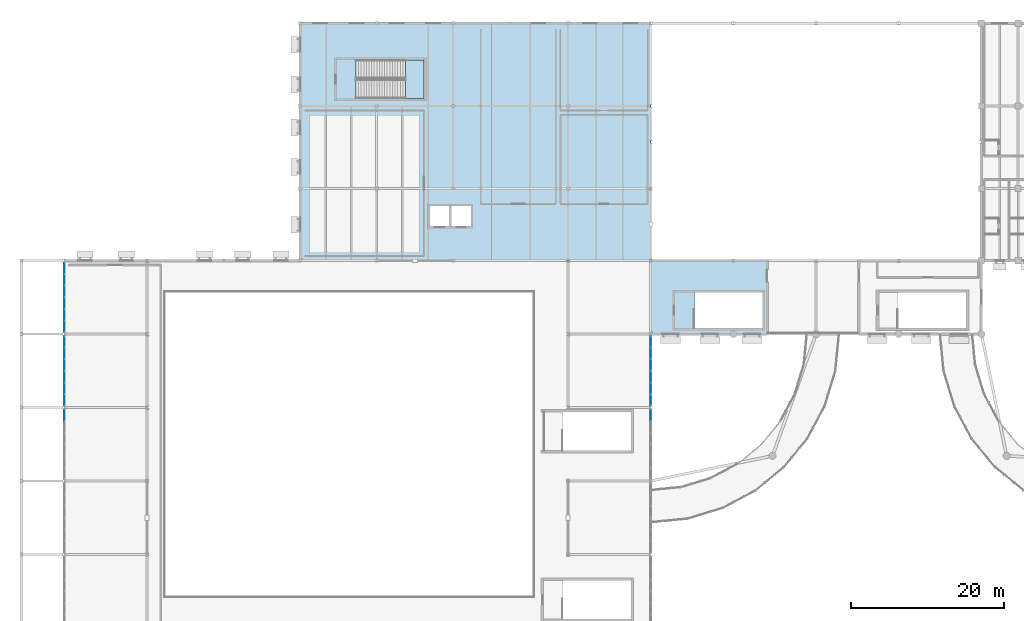
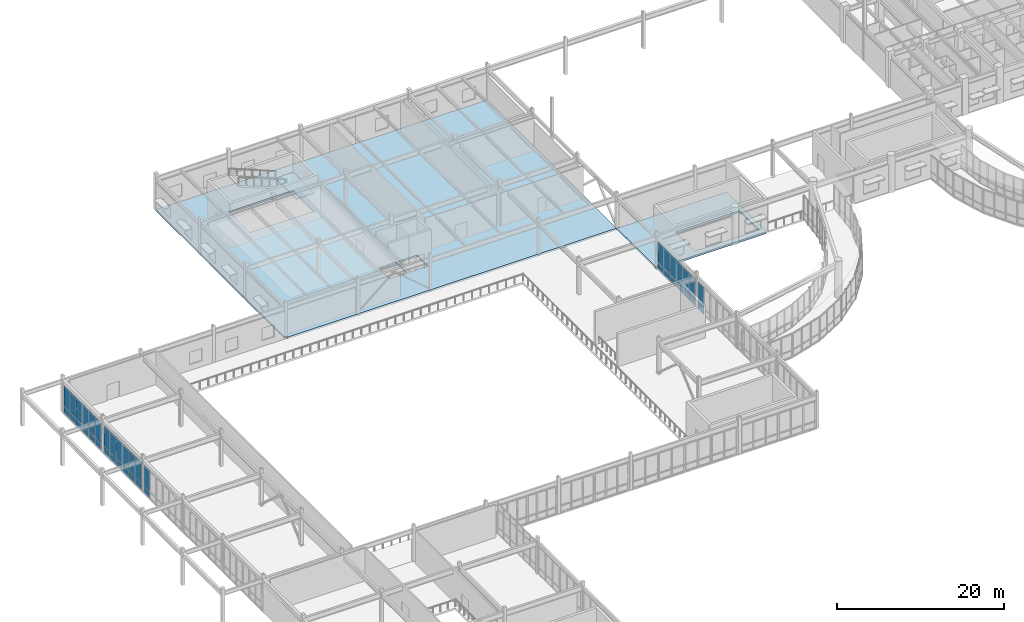
# One storey, part 37 of 68: 40 plates, 3 slabs, 9 elements without a shape of their own.
"""IFC4 building model written with IfcOpenShell, lengths in metres."""

import ifcopenshell
import ifcopenshell.guid

model = None  # the IFC model being written
_history = None  # IfcOwnerHistory: only IFC2X3 demands one
_inside = {}  # id of a spatial element -> (the spatial element, [elements in it])
_under = {}  # id of a project, library or spatial element -> (it, [spatial elements below it])
_declared = {}  # id of a project -> (the project, [libraries it declares])
_typed = {}  # id of a type object -> (the type object, [elements of that type])
_made_of = {}  # id of a material, layer set ... -> (it, [elements and type objects made of it])


def new_model(schema):
    """Start an empty IFC model of exactly this schema.

    Asked for "IFC4X3", IfcOpenShell would pick the latest addendum, in which some entities
    have other attributes; the version numbers below select the first issue.
    IFC2X3 requires an IfcOwnerHistory on every rooted entity: one is made here for all.
    """
    global model, _history
    if schema == "IFC4X3":
        model = ifcopenshell.file(schema_version=(4, 3, 0, 0))
    else:
        model = ifcopenshell.file(schema=schema)
    _inside.clear()
    _under.clear()
    _declared.clear()
    _typed.clear()
    _made_of.clear()
    _history = None
    if model.schema == "IFC2X3":
        org = make("IfcOrganization", Name="unknown")
        user = make(
            "IfcPersonAndOrganization",
            ThePerson=make("IfcPerson", FamilyName="unknown"),
            TheOrganization=org,
        )
        app = make(
            "IfcApplication",
            ApplicationDeveloper=org,
            Version="unknown",
            ApplicationFullName="unknown",
            ApplicationIdentifier="unknown",
        )
        _history = make(
            "IfcOwnerHistory",
            OwningUser=user,
            OwningApplication=app,
            ChangeAction="ADDED",
            CreationDate=0,
        )
    return model


def make(cls, **values):
    """One entity of the class cls with the attributes given. An attribute that is None is left unset."""
    return model.create_entity(
        cls, **{name: value for name, value in values.items() if value is not None}
    )


def rooted(cls, **values):
    """An entity with a GlobalId (a new one), such as an element, a storey or a relation."""
    return make(cls, GlobalId=ifcopenshell.guid.new(), OwnerHistory=_history, **values)


def si_unit(unit_type, name, prefix=None):
    """IfcSIUnit, for example si_unit("LENGTHUNIT", "METRE", prefix="MILLI")."""
    return make("IfcSIUnit", UnitType=unit_type, Prefix=prefix, Name=name)


def assignment(units):
    """IfcUnitAssignment: the units of a project."""
    return None if units is None else make("IfcUnitAssignment", Units=units)


def point(xyz):
    """IfcCartesianPoint."""
    return None if xyz is None else make("IfcCartesianPoint", Coordinates=xyz)


def direction(xyz):
    """IfcDirection."""
    return None if xyz is None else make("IfcDirection", DirectionRatios=xyz)


def frame(location, z_axis=None, x_axis=None):
    """IfcAxis2Placement3D, a coordinate frame: its origin and axes. An axis left out is left unset."""
    return make(
        "IfcAxis2Placement3D",
        Location=point(location),
        Axis=direction(z_axis),
        RefDirection=direction(x_axis),
    )


def frame_2d(location, x_axis=None):
    """IfcAxis2Placement2D, a coordinate frame in the plane: its origin and x axis."""
    return make(
        "IfcAxis2Placement2D", Location=point(location), RefDirection=direction(x_axis)
    )


def origin():
    """The frame at (0, 0, 0) with its axes left unset."""
    return frame((0.0, 0.0, 0.0))


def origin_2d():
    """The frame at (0, 0) in the plane with its x axis left unset."""
    return frame_2d((0.0, 0.0))


def place(relative_to, where):
    """IfcLocalPlacement: puts the frame where relative to a parent placement (None: the world)."""
    return make(
        "IfcLocalPlacement", PlacementRelTo=relative_to, RelativePlacement=where
    )


def context(
    kind, dimensions, precision=None, world=None, true_north=None, identifier=None
):
    """IfcGeometricRepresentationContext, for example the 3D "Model" context."""
    return make(
        "IfcGeometricRepresentationContext",
        ContextIdentifier=identifier,
        ContextType=kind,
        CoordinateSpaceDimension=dimensions,
        Precision=precision,
        WorldCoordinateSystem=world,
        TrueNorth=true_north,
    )


def subcontext(parent, identifier, kind, view, scale=None):
    """IfcGeometricRepresentationSubContext, for example "Body" below "Model"."""
    return make(
        "IfcGeometricRepresentationSubContext",
        ContextIdentifier=identifier,
        ContextType=kind,
        ParentContext=parent,
        TargetScale=scale,
        TargetView=view,
    )


def project(units=None, contexts=None):
    """IfcProject with its units and contexts."""
    return rooted(
        "IfcProject",
        Name="project",
        RepresentationContexts=contexts,
        UnitsInContext=assignment(units),
    )


def spatial(cls, under=None, at=None, **own):
    """A site, building, storey or space (cls), placed at a placement, below another one or the project."""
    s = rooted(cls, ObjectPlacement=at, **own)
    if under is not None:
        _under.setdefault(under.id(), (under, []))[1].append(s)
    return s


def polyline(points):
    """IfcPolyline through the points."""
    return make("IfcPolyline", Points=[point(p) for p in points])


def profile(cls, at=None, kind="AREA", **sizes):
    """A parametric profile (cls). Its sizes go by their IFC names, for example OverallWidth=200.0."""
    return make(cls, ProfileType=kind, Position=at, **sizes)


def rectangle(**sizes):
    """IfcRectangleProfileDef."""
    return profile("IfcRectangleProfileDef", **sizes)


def outline(outer, holes=None, kind="AREA"):
    """IfcArbitraryClosedProfileDef: a profile drawn as a closed curve; with holes, ...WithVoids."""
    if holes is None:
        return make("IfcArbitraryClosedProfileDef", ProfileType=kind, OuterCurve=outer)
    return make(
        "IfcArbitraryProfileDefWithVoids",
        ProfileType=kind,
        OuterCurve=outer,
        InnerCurves=holes,
    )


def extrude(swept, where, along, depth):
    """IfcExtrudedAreaSolid: the profile swept, set in the frame where, extruded along a direction by depth."""
    return make(
        "IfcExtrudedAreaSolid",
        SweptArea=swept,
        Position=where,
        ExtrudedDirection=direction(along),
        Depth=depth,
    )


def shape(context_of_items, identifier, shape_type, items):
    """IfcShapeRepresentation: the items that make up one representation, for example the "Body"."""
    return make(
        "IfcShapeRepresentation",
        ContextOfItems=context_of_items,
        RepresentationIdentifier=identifier,
        RepresentationType=shape_type,
        Items=items,
    )


def material(Name=None, Category=None):
    """IfcMaterial."""
    return make("IfcMaterial", Name=Name, Category=Category)


def layer(
    of_material, thickness, ventilated=None, Name=None, Category=None, Priority=None
):
    """IfcMaterialLayer: one layer of a wall or slab, of a material (None: an air gap)."""
    return make(
        "IfcMaterialLayer",
        Material=of_material,
        LayerThickness=thickness,
        IsVentilated=ventilated,
        Name=Name,
        Category=Category,
        Priority=Priority,
    )


def layer_set(layers, Name=None):
    """IfcMaterialLayerSet."""
    return make("IfcMaterialLayerSet", MaterialLayers=layers, LayerSetName=Name)


def made_of(thing, what):
    """Note that an element or type object is made of a material, layer set ...; save() writes the relation."""
    if what is not None:
        _made_of.setdefault(what.id(), (what, []))[1].append(thing)
    return thing


def type_object(cls, material=None, **own):
    """A type object (cls), such as IfcWallType, which elements share."""
    return made_of(rooted(cls, **own), material)


def element(
    cls,
    number,
    at=None,
    inside=None,
    cuts=None,
    type_object=None,
    material=None,
    context=None,
    identifier="Body",
    shape_type=None,
    held_by="IfcProductDefinitionShape",
    body=None,
    shapes=None,
    **own,
):
    """One element of the class cls, such as IfcWall. Its Tag is "e" and its number.

    at: its placement. inside: the storey or other place that contains it. cuts: it is an
    opening in that element (IfcRelVoidsElement). A single representation is given by context,
    identifier, shape_type and body (its items); several are given by shapes. held_by: the class
    of the entity that holds the representations. save() writes the other relations.
    """
    e = rooted(cls, Tag="e%d" % number, ObjectPlacement=at, **own)
    if body is not None:
        shapes = [shape(context, identifier, shape_type, body)]
    if shapes is not None:
        e.Representation = make(held_by, Representations=shapes)
    if inside is not None:
        _inside.setdefault(inside.id(), (inside, []))[1].append(e)
    if cuts is not None:
        rooted(
            "IfcRelVoidsElement", RelatingBuildingElement=cuts, RelatedOpeningElement=e
        )
    if type_object is not None:
        _typed.setdefault(type_object.id(), (type_object, []))[1].append(e)
    return made_of(e, material)


def aggregate(whole, parts):
    """IfcRelAggregates: a whole, such as a stair, and the parts it consists of."""
    return rooted("IfcRelAggregates", RelatingObject=whole, RelatedObjects=parts)


def save(model, path):
    """Write the relations noted so far, then the file.

    IfcRelAggregates (storeys below a building ...), IfcRelContainedInSpatialStructure (elements
    in a storey), IfcRelDefinesByType, IfcRelAssociatesMaterial and IfcRelDeclares: one each for
    every whole, place, type object, material and project.
    """
    for whole, parts in _under.values():
        aggregate(whole, parts)
    for where, things in _inside.values():
        rooted(
            "IfcRelContainedInSpatialStructure",
            RelatedElements=things,
            RelatingStructure=where,
        )
    for kind, things in _typed.values():
        rooted("IfcRelDefinesByType", RelatedObjects=things, RelatingType=kind)
    for what, things in _made_of.values():
        rooted("IfcRelAssociatesMaterial", RelatedObjects=things, RelatingMaterial=what)
    for by, libraries in _declared.values():
        rooted("IfcRelDeclares", RelatingContext=by, RelatedDefinitions=libraries)
    model.write(path)


model = new_model("IFC4")

# Units and contexts
model_context = context("Model", 3, precision=1e-05, world=origin(), true_north=direction((0.0, 1.0)))
body_context = subcontext(model_context, "Body", "Model", "MODEL_VIEW")
ifc_project = project(units=[si_unit("LENGTHUNIT", "METRE"), si_unit("AREAUNIT", "SQUARE_METRE"), si_unit("VOLUMEUNIT", "CUBIC_METRE"), si_unit("PLANEANGLEUNIT", "RADIAN"), si_unit("MASSUNIT", "GRAM", prefix="KILO")], contexts=[model_context])

# Site, building, storey
site_placement = place(None, origin())
site = spatial("IfcSite", under=ifc_project, at=site_placement, CompositionType="ELEMENT")
building_placement = place(site_placement, origin())
building = spatial("IfcBuilding", under=site, at=building_placement, Name="Veldera Park Congress Hotel", CompositionType="ELEMENT")
storey_placement = place(building_placement, frame((0.0, 0.0, 10.800048828125)))
storey = spatial("IfcBuildingStorey", under=building, at=storey_placement, Name="L02", CompositionType="ELEMENT", Elevation=10.800048828125)

# Curtain wall, plates
ifc_material_1 = material(Name="Low-E Triple Insulating Glass Unit (SHGC 0.22)", Category="glass")
curtain_wall_type_1 = type_object("IfcCurtainWallType", Name="CW-CNG", PredefinedType="NOTDEFINED", material=ifc_material_1)
curtain_wall_1_placement = place(storey_placement, origin())
curtain_wall_1 = element("IfcCurtainWall", 1, at=curtain_wall_1_placement, inside=storey, type_object=curtain_wall_type_1, Name="L02 Curtain Wall CW3-V1W-L02-045", PredefinedType="NOTDEFINED")
ifc_layer_1 = layer(ifc_material_1, 0.035888671875)
ifc_layer_set_1 = layer_set([ifc_layer_1], Name="Low-E Triple Insulating Glass Unit (SHGC 0.22)")
plate_type = type_object("IfcPlateType", Name="CWP-IGU36", PredefinedType="CURTAIN_PANEL", material=ifc_layer_set_1)
plate_1_placement = place(storey_placement, frame((-78.199951171875, 25.9970703125, 0.0751953125), z_axis=(0.0, 0.0, 1.0), x_axis=(0.0, -1.0, 0.0)))
plate_1 = element("IfcPlate", 2, at=plate_1_placement, type_object=plate_type, Name="CW-CNG panel 1.1", PredefinedType="CURTAIN_PANEL", context=body_context, shape_type="SweptSolid", body=[
    extrude(rectangle(XDim=1.40771484375, YDim=0.035888671875, at=origin_2d()), origin(), (0.0, 0.0, 1.0), 0.887451171875),
])
plate_2_placement = place(storey_placement, frame((-78.199951171875, 25.9970703125, 1.03759765625), z_axis=(0.0, 0.0, 1.0), x_axis=(0.0, -1.0, 0.0)))
plate_2 = element("IfcPlate", 3, at=plate_2_placement, type_object=plate_type, Name="CW-CNG panel 1.2", PredefinedType="CURTAIN_PANEL", context=body_context, shape_type="SweptSolid", body=[
    extrude(rectangle(XDim=1.40771484375, YDim=0.035888671875, at=origin_2d()), origin(), (0.0, 0.0, 1.0), 2.986572265625),
])
plate_3_placement = place(storey_placement, frame((-78.199951171875, 24.49560546875, 0.0751953125), z_axis=(0.0, 0.0, 1.0), x_axis=(0.0, -1.0, 0.0)))
plate_3 = element("IfcPlate", 4, at=plate_3_placement, type_object=plate_type, Name="CW-CNG panel 2.1", PredefinedType="CURTAIN_PANEL", context=body_context, shape_type="SweptSolid", body=[
    extrude(rectangle(XDim=1.4453125, YDim=0.035888671875, at=origin_2d()), origin(), (0.0, 0.0, 1.0), 0.887451171875),
])
plate_4_placement = place(storey_placement, frame((-78.199951171875, 24.49560546875, 1.03759765625), z_axis=(0.0, 0.0, 1.0), x_axis=(0.0, -1.0, 0.0)))
plate_4 = element("IfcPlate", 5, at=plate_4_placement, type_object=plate_type, Name="CW-CNG panel 2.2", PredefinedType="CURTAIN_PANEL", context=body_context, shape_type="SweptSolid", body=[
    extrude(rectangle(XDim=1.4453125, YDim=0.035888671875, at=origin_2d()), origin(), (0.0, 0.0, 1.0), 2.986572265625),
])
plate_5_placement = place(storey_placement, frame((-78.199951171875, 22.993896484375, 0.0751953125), z_axis=(0.0, 0.0, 1.0), x_axis=(0.0, -1.0, 0.0)))
plate_5 = element("IfcPlate", 6, at=plate_5_placement, type_object=plate_type, Name="CW-CNG panel 3.1", PredefinedType="CURTAIN_PANEL", context=body_context, shape_type="SweptSolid", body=[
    extrude(rectangle(XDim=1.40771484375, YDim=0.035888671875, at=origin_2d()), origin(), (0.0, 0.0, 1.0), 0.887451171875),
])
plate_6_placement = place(storey_placement, frame((-78.199951171875, 22.993896484375, 1.03759765625), z_axis=(0.0, 0.0, 1.0), x_axis=(0.0, -1.0, 0.0)))
plate_6 = element("IfcPlate", 7, at=plate_6_placement, type_object=plate_type, Name="CW-CNG panel 3.2", PredefinedType="CURTAIN_PANEL", context=body_context, shape_type="SweptSolid", body=[
    extrude(rectangle(XDim=1.40771484375, YDim=0.035888671875, at=origin_2d()), origin(), (0.0, 0.0, 1.0), 2.986572265625),
])
aggregate(curtain_wall_1, [plate_1, plate_2, plate_3, plate_4, plate_5, plate_6])

curtain_wall_2_placement = place(storey_placement, origin())
curtain_wall_2 = element("IfcCurtainWall", 8, at=curtain_wall_2_placement, inside=storey, type_object=curtain_wall_type_1, Name="L02 Curtain Wall CW3-V1W-L02-046", PredefinedType="NOTDEFINED")
plate_7_placement = place(storey_placement, frame((-78.199951171875, 21.406005859375, 0.0751953125), z_axis=(0.0, 0.0, 1.0), x_axis=(0.0, -1.0, 0.0)))
plate_7 = element("IfcPlate", 9, at=plate_7_placement, type_object=plate_type, Name="CW-CNG panel 1.1", PredefinedType="CURTAIN_PANEL", context=body_context, shape_type="SweptSolid", body=[
    extrude(rectangle(XDim=1.40771484375, YDim=0.035888671875, at=origin_2d()), origin(), (0.0, 0.0, 1.0), 0.887451171875),
])
plate_8_placement = place(storey_placement, frame((-78.199951171875, 21.406005859375, 1.03759765625), z_axis=(0.0, 0.0, 1.0), x_axis=(0.0, -1.0, 0.0)))
plate_8 = element("IfcPlate", 10, at=plate_8_placement, type_object=plate_type, Name="CW-CNG panel 1.2", PredefinedType="CURTAIN_PANEL", context=body_context, shape_type="SweptSolid", body=[
    extrude(rectangle(XDim=1.40771484375, YDim=0.035888671875, at=origin_2d()), origin(), (0.0, 0.0, 1.0), 2.986572265625),
])
plate_9_placement = place(storey_placement, frame((-78.199951171875, 19.904541015625, 0.0751953125), z_axis=(0.0, 0.0, 1.0), x_axis=(0.0, -1.0, 0.0)))
plate_9 = element("IfcPlate", 11, at=plate_9_placement, type_object=plate_type, Name="CW-CNG panel 2.1", PredefinedType="CURTAIN_PANEL", context=body_context, shape_type="SweptSolid", body=[
    extrude(rectangle(XDim=1.4453125, YDim=0.035888671875, at=origin_2d()), origin(), (0.0, 0.0, 1.0), 0.887451171875),
])
plate_10_placement = place(storey_placement, frame((-78.199951171875, 19.904541015625, 1.03759765625), z_axis=(0.0, 0.0, 1.0), x_axis=(0.0, -1.0, 0.0)))
plate_10 = element("IfcPlate", 12, at=plate_10_placement, type_object=plate_type, Name="CW-CNG panel 2.2", PredefinedType="CURTAIN_PANEL", context=body_context, shape_type="SweptSolid", body=[
    extrude(rectangle(XDim=1.4453125, YDim=0.035888671875, at=origin_2d()), origin(), (0.0, 0.0, 1.0), 2.986572265625),
])
plate_11_placement = place(storey_placement, frame((-78.199951171875, 18.40283203125, 0.0751953125), z_axis=(0.0, 0.0, 1.0), x_axis=(0.0, -1.0, 0.0)))
plate_11 = element("IfcPlate", 13, at=plate_11_placement, type_object=plate_type, Name="CW-CNG panel 3.1", PredefinedType="CURTAIN_PANEL", context=body_context, shape_type="SweptSolid", body=[
    extrude(rectangle(XDim=1.40771484375, YDim=0.035888671875, at=origin_2d()), origin(), (0.0, 0.0, 1.0), 0.887451171875),
])
plate_12_placement = place(storey_placement, frame((-78.199951171875, 18.40283203125, 1.03759765625), z_axis=(0.0, 0.0, 1.0), x_axis=(0.0, -1.0, 0.0)))
plate_12 = element("IfcPlate", 14, at=plate_12_placement, type_object=plate_type, Name="CW-CNG panel 3.2", PredefinedType="CURTAIN_PANEL", context=body_context, shape_type="SweptSolid", body=[
    extrude(rectangle(XDim=1.40771484375, YDim=0.035888671875, at=origin_2d()), origin(), (0.0, 0.0, 1.0), 2.986572265625),
])
aggregate(curtain_wall_2, [plate_7, plate_8, plate_9, plate_10, plate_11, plate_12])

curtain_wall_3_placement = place(storey_placement, origin())
curtain_wall_3 = element("IfcCurtainWall", 15, at=curtain_wall_3_placement, inside=storey, type_object=curtain_wall_type_1, Name="L02 Curtain Wall CW3-V1W-L02-047", PredefinedType="NOTDEFINED")
plate_13_placement = place(storey_placement, frame((-78.199951171875, 16.39697265625, 0.0751953125), z_axis=(0.0, 0.0, 1.0), x_axis=(0.0, -1.0, 0.0)))
plate_13 = element("IfcPlate", 16, at=plate_13_placement, type_object=plate_type, Name="CW-CNG panel 1.1", PredefinedType="CURTAIN_PANEL", context=body_context, shape_type="SweptSolid", body=[
    extrude(rectangle(XDim=1.40771484375, YDim=0.035888671875, at=origin_2d()), origin(), (0.0, 0.0, 1.0), 0.887451171875),
])
plate_14_placement = place(storey_placement, frame((-78.199951171875, 16.39697265625, 1.03759765625), z_axis=(0.0, 0.0, 1.0), x_axis=(0.0, -1.0, 0.0)))
plate_14 = element("IfcPlate", 17, at=plate_14_placement, type_object=plate_type, Name="CW-CNG panel 1.2", PredefinedType="CURTAIN_PANEL", context=body_context, shape_type="SweptSolid", body=[
    extrude(rectangle(XDim=1.40771484375, YDim=0.035888671875, at=origin_2d()), origin(), (0.0, 0.0, 1.0), 2.986572265625),
])
plate_15_placement = place(storey_placement, frame((-78.199951171875, 14.8955078125, 0.0751953125), z_axis=(0.0, 0.0, 1.0), x_axis=(0.0, -1.0, 0.0)))
plate_15 = element("IfcPlate", 18, at=plate_15_placement, type_object=plate_type, Name="CW-CNG panel 2.1", PredefinedType="CURTAIN_PANEL", context=body_context, shape_type="SweptSolid", body=[
    extrude(rectangle(XDim=1.4453125, YDim=0.035888671875, at=origin_2d()), origin(), (0.0, 0.0, 1.0), 0.887451171875),
])
plate_16_placement = place(storey_placement, frame((-78.199951171875, 14.8955078125, 1.03759765625), z_axis=(0.0, 0.0, 1.0), x_axis=(0.0, -1.0, 0.0)))
plate_16 = element("IfcPlate", 19, at=plate_16_placement, type_object=plate_type, Name="CW-CNG panel 2.2", PredefinedType="CURTAIN_PANEL", context=body_context, shape_type="SweptSolid", body=[
    extrude(rectangle(XDim=1.4453125, YDim=0.035888671875, at=origin_2d()), origin(), (0.0, 0.0, 1.0), 2.986572265625),
])
plate_17_placement = place(storey_placement, frame((-78.199951171875, 13.393798828125, 0.0751953125), z_axis=(0.0, 0.0, 1.0), x_axis=(0.0, -1.0, 0.0)))
plate_17 = element("IfcPlate", 20, at=plate_17_placement, type_object=plate_type, Name="CW-CNG panel 3.1", PredefinedType="CURTAIN_PANEL", context=body_context, shape_type="SweptSolid", body=[
    extrude(rectangle(XDim=1.40771484375, YDim=0.035888671875, at=origin_2d()), origin(), (0.0, 0.0, 1.0), 0.887451171875),
])
plate_18_placement = place(storey_placement, frame((-78.199951171875, 13.393798828125, 1.03759765625), z_axis=(0.0, 0.0, 1.0), x_axis=(0.0, -1.0, 0.0)))
plate_18 = element("IfcPlate", 21, at=plate_18_placement, type_object=plate_type, Name="CW-CNG panel 3.2", PredefinedType="CURTAIN_PANEL", context=body_context, shape_type="SweptSolid", body=[
    extrude(rectangle(XDim=1.40771484375, YDim=0.035888671875, at=origin_2d()), origin(), (0.0, 0.0, 1.0), 2.986572265625),
])
aggregate(curtain_wall_3, [plate_13, plate_14, plate_15, plate_16, plate_17, plate_18])

curtain_wall_4_placement = place(storey_placement, origin())
curtain_wall_4 = element("IfcCurtainWall", 22, at=curtain_wall_4_placement, inside=storey, type_object=curtain_wall_type_1, Name="L02 Curtain Wall CW3-V1W-L02-048", PredefinedType="NOTDEFINED")
plate_19_placement = place(storey_placement, frame((-78.199951171875, 11.80615234375, 0.0751953125), z_axis=(0.0, 0.0, 1.0), x_axis=(0.0, -1.0, 0.0)))
plate_19 = element("IfcPlate", 23, at=plate_19_placement, type_object=plate_type, Name="CW-CNG panel 1.1", PredefinedType="CURTAIN_PANEL", context=body_context, shape_type="SweptSolid", body=[
    extrude(rectangle(XDim=1.40771484375, YDim=0.035888671875, at=origin_2d()), origin(), (0.0, 0.0, 1.0), 0.887451171875),
])
plate_20_placement = place(storey_placement, frame((-78.199951171875, 11.80615234375, 1.03759765625), z_axis=(0.0, 0.0, 1.0), x_axis=(0.0, -1.0, 0.0)))
plate_20 = element("IfcPlate", 24, at=plate_20_placement, type_object=plate_type, Name="CW-CNG panel 1.2", PredefinedType="CURTAIN_PANEL", context=body_context, shape_type="SweptSolid", body=[
    extrude(rectangle(XDim=1.40771484375, YDim=0.035888671875, at=origin_2d()), origin(), (0.0, 0.0, 1.0), 2.986572265625),
])
plate_21_placement = place(storey_placement, frame((-78.199951171875, 10.304443359375, 0.0751953125), z_axis=(0.0, 0.0, 1.0), x_axis=(0.0, -1.0, 0.0)))
plate_21 = element("IfcPlate", 25, at=plate_21_placement, type_object=plate_type, Name="CW-CNG panel 2.1", PredefinedType="CURTAIN_PANEL", context=body_context, shape_type="SweptSolid", body=[
    extrude(rectangle(XDim=1.4453125, YDim=0.035888671875, at=origin_2d()), origin(), (0.0, 0.0, 1.0), 0.887451171875),
])
plate_22_placement = place(storey_placement, frame((-78.199951171875, 10.304443359375, 1.03759765625), z_axis=(0.0, 0.0, 1.0), x_axis=(0.0, -1.0, 0.0)))
plate_22 = element("IfcPlate", 26, at=plate_22_placement, type_object=plate_type, Name="CW-CNG panel 2.2", PredefinedType="CURTAIN_PANEL", context=body_context, shape_type="SweptSolid", body=[
    extrude(rectangle(XDim=1.4453125, YDim=0.035888671875, at=origin_2d()), origin(), (0.0, 0.0, 1.0), 2.986572265625),
])
plate_23_placement = place(storey_placement, frame((-78.199951171875, 8.802978515625, 0.0751953125), z_axis=(0.0, 0.0, 1.0), x_axis=(0.0, -1.0, 0.0)))
plate_23 = element("IfcPlate", 27, at=plate_23_placement, type_object=plate_type, Name="CW-CNG panel 3.1", PredefinedType="CURTAIN_PANEL", context=body_context, shape_type="SweptSolid", body=[
    extrude(rectangle(XDim=1.40771484375, YDim=0.035888671875, at=origin_2d()), origin(), (0.0, 0.0, 1.0), 0.887451171875),
])
plate_24_placement = place(storey_placement, frame((-78.199951171875, 8.802978515625, 1.03759765625), z_axis=(0.0, 0.0, 1.0), x_axis=(0.0, -1.0, 0.0)))
plate_24 = element("IfcPlate", 28, at=plate_24_placement, type_object=plate_type, Name="CW-CNG panel 3.2", PredefinedType="CURTAIN_PANEL", context=body_context, shape_type="SweptSolid", body=[
    extrude(rectangle(XDim=1.40771484375, YDim=0.035888671875, at=origin_2d()), origin(), (0.0, 0.0, 1.0), 2.986572265625),
])
aggregate(curtain_wall_4, [plate_19, plate_20, plate_21, plate_22, plate_23, plate_24])

curtain_wall_5_placement = place(storey_placement, origin())
curtain_wall_5 = element("IfcCurtainWall", 29, at=curtain_wall_5_placement, inside=storey, type_object=curtain_wall_type_1, Name="L02 Curtain Wall CW3-V1W-L02-049", PredefinedType="NOTDEFINED")
plate_25_placement = place(storey_placement, frame((-78.199951171875, 6.797119140625, 0.0751953125), z_axis=(0.0, 0.0, 1.0), x_axis=(0.0, -1.0, 0.0)))
plate_25 = element("IfcPlate", 30, at=plate_25_placement, type_object=plate_type, Name="CW-CNG panel 1.1", PredefinedType="CURTAIN_PANEL", context=body_context, shape_type="SweptSolid", body=[
    extrude(rectangle(XDim=1.40771484375, YDim=0.035888671875, at=origin_2d()), origin(), (0.0, 0.0, 1.0), 0.887451171875),
])
plate_26_placement = place(storey_placement, frame((-78.199951171875, 6.797119140625, 1.03759765625), z_axis=(0.0, 0.0, 1.0), x_axis=(0.0, -1.0, 0.0)))
plate_26 = element("IfcPlate", 31, at=plate_26_placement, type_object=plate_type, Name="CW-CNG panel 1.2", PredefinedType="CURTAIN_PANEL", context=body_context, shape_type="SweptSolid", body=[
    extrude(rectangle(XDim=1.40771484375, YDim=0.035888671875, at=origin_2d()), origin(), (0.0, 0.0, 1.0), 2.986572265625),
])
aggregate(curtain_wall_5, [plate_25, plate_26])

curtain_wall_type_2 = type_object("IfcCurtainWallType", Name="CW-POD", PredefinedType="NOTDEFINED", material=ifc_material_1)
curtain_wall_6_placement = place(storey_placement, origin())
curtain_wall_6 = element("IfcCurtainWall", 32, at=curtain_wall_6_placement, inside=storey, type_object=curtain_wall_type_2, Name="L02 Curtain Wall CW3-V1E-L02-070", PredefinedType="NOTDEFINED")
plate_27_placement = place(storey_placement, frame((-1.60009765625, 6.7958984375, 0.080078125), z_axis=(0.0, 0.0, 1.0), x_axis=(0.0, 1.0, 0.0)))
plate_27 = element("IfcPlate", 33, at=plate_27_placement, type_object=plate_type, Name="CW-POD panel 3.1", PredefinedType="CURTAIN_PANEL", context=body_context, shape_type="SweptSolid", body=[
    extrude(rectangle(XDim=1.400390625, YDim=0.035888671875, at=origin_2d()), origin(), (0.0, 0.0, 1.0), 0.8798828125),
])
plate_28_placement = place(storey_placement, frame((-1.60009765625, 6.7958984375, 1.0400390625), z_axis=(0.0, 0.0, 1.0), x_axis=(0.0, 1.0, 0.0)))
plate_28 = element("IfcPlate", 34, at=plate_28_placement, type_object=plate_type, Name="CW-POD panel 3.2", PredefinedType="CURTAIN_PANEL", context=body_context, shape_type="SweptSolid", body=[
    extrude(rectangle(XDim=1.400390625, YDim=0.035888671875, at=origin_2d()), origin(), (0.0, 0.0, 1.0), 2.98193359375),
])
aggregate(curtain_wall_6, [plate_27, plate_28])

curtain_wall_7_placement = place(storey_placement, origin())
curtain_wall_7 = element("IfcCurtainWall", 35, at=curtain_wall_7_placement, inside=storey, type_object=curtain_wall_type_2, Name="L02 Curtain Wall CW3-V1E-L02-071", PredefinedType="NOTDEFINED")
plate_29_placement = place(storey_placement, frame((-1.60009765625, 8.80419921875, 0.080078125), z_axis=(0.0, 0.0, 1.0), x_axis=(0.0, 1.0, 0.0)))
plate_29 = element("IfcPlate", 36, at=plate_29_placement, type_object=plate_type, Name="CW-POD panel 1.1", PredefinedType="CURTAIN_PANEL", context=body_context, shape_type="SweptSolid", body=[
    extrude(rectangle(XDim=1.400390625, YDim=0.035888671875, at=origin_2d()), origin(), (0.0, 0.0, 1.0), 0.8798828125),
])
plate_30_placement = place(storey_placement, frame((-1.60009765625, 8.80419921875, 1.0400390625), z_axis=(0.0, 0.0, 1.0), x_axis=(0.0, 1.0, 0.0)))
plate_30 = element("IfcPlate", 37, at=plate_30_placement, type_object=plate_type, Name="CW-POD panel 1.2", PredefinedType="CURTAIN_PANEL", context=body_context, shape_type="SweptSolid", body=[
    extrude(rectangle(XDim=1.400390625, YDim=0.035888671875, at=origin_2d()), origin(), (0.0, 0.0, 1.0), 2.98193359375),
])
plate_31_placement = place(storey_placement, frame((-1.60009765625, 10.304443359375, 0.080078125), z_axis=(0.0, 0.0, 1.0), x_axis=(0.0, 1.0, 0.0)))
plate_31 = element("IfcPlate", 38, at=plate_31_placement, type_object=plate_type, Name="CW-POD panel 2.1", PredefinedType="CURTAIN_PANEL", context=body_context, shape_type="SweptSolid", body=[
    extrude(rectangle(XDim=1.4404296875, YDim=0.035888671875, at=origin_2d()), origin(), (0.0, 0.0, 1.0), 0.8798828125),
])
plate_32_placement = place(storey_placement, frame((-1.60009765625, 10.304443359375, 1.0400390625), z_axis=(0.0, 0.0, 1.0), x_axis=(0.0, 1.0, 0.0)))
plate_32 = element("IfcPlate", 39, at=plate_32_placement, type_object=plate_type, Name="CW-POD panel 2.2", PredefinedType="CURTAIN_PANEL", context=body_context, shape_type="SweptSolid", body=[
    extrude(rectangle(XDim=1.4404296875, YDim=0.035888671875, at=origin_2d()), origin(), (0.0, 0.0, 1.0), 2.98193359375),
])
plate_33_placement = place(storey_placement, frame((-1.60009765625, 11.804931640625, 0.080078125), z_axis=(0.0, 0.0, 1.0), x_axis=(0.0, 1.0, 0.0)))
plate_33 = element("IfcPlate", 40, at=plate_33_placement, type_object=plate_type, Name="CW-POD panel 3.1", PredefinedType="CURTAIN_PANEL", context=body_context, shape_type="SweptSolid", body=[
    extrude(rectangle(XDim=1.400390625, YDim=0.035888671875, at=origin_2d()), origin(), (0.0, 0.0, 1.0), 0.8798828125),
])
plate_34_placement = place(storey_placement, frame((-1.60009765625, 11.804931640625, 1.0400390625), z_axis=(0.0, 0.0, 1.0), x_axis=(0.0, 1.0, 0.0)))
plate_34 = element("IfcPlate", 41, at=plate_34_placement, type_object=plate_type, Name="CW-POD panel 3.2", PredefinedType="CURTAIN_PANEL", context=body_context, shape_type="SweptSolid", body=[
    extrude(rectangle(XDim=1.400390625, YDim=0.035888671875, at=origin_2d()), origin(), (0.0, 0.0, 1.0), 2.98193359375),
])
aggregate(curtain_wall_7, [plate_29, plate_30, plate_31, plate_32, plate_33, plate_34])

curtain_wall_8_placement = place(storey_placement, origin())
curtain_wall_8 = element("IfcCurtainWall", 42, at=curtain_wall_8_placement, inside=storey, type_object=curtain_wall_type_2, Name="L02 Curtain Wall CW3-V1E-L02-072", PredefinedType="NOTDEFINED")
plate_35_placement = place(storey_placement, frame((-1.60009765625, 13.395263671875, 0.080078125), z_axis=(0.0, 0.0, 1.0), x_axis=(0.0, 1.0, 0.0)))
plate_35 = element("IfcPlate", 43, at=plate_35_placement, type_object=plate_type, Name="CW-POD panel 1.1", PredefinedType="CURTAIN_PANEL", context=body_context, shape_type="SweptSolid", body=[
    extrude(rectangle(XDim=1.400390625, YDim=0.035888671875, at=origin_2d()), origin(), (0.0, 0.0, 1.0), 0.8798828125),
])
plate_36_placement = place(storey_placement, frame((-1.60009765625, 13.395263671875, 1.0400390625), z_axis=(0.0, 0.0, 1.0), x_axis=(0.0, 1.0, 0.0)))
plate_36 = element("IfcPlate", 44, at=plate_36_placement, type_object=plate_type, Name="CW-POD panel 1.2", PredefinedType="CURTAIN_PANEL", context=body_context, shape_type="SweptSolid", body=[
    extrude(rectangle(XDim=1.400390625, YDim=0.035888671875, at=origin_2d()), origin(), (0.0, 0.0, 1.0), 2.98193359375),
])
plate_37_placement = place(storey_placement, frame((-1.60009765625, 14.8955078125, 0.080078125), z_axis=(0.0, 0.0, 1.0), x_axis=(0.0, 1.0, 0.0)))
plate_37 = element("IfcPlate", 45, at=plate_37_placement, type_object=plate_type, Name="CW-POD panel 2.1", PredefinedType="CURTAIN_PANEL", context=body_context, shape_type="SweptSolid", body=[
    extrude(rectangle(XDim=1.4404296875, YDim=0.035888671875, at=origin_2d()), origin(), (0.0, 0.0, 1.0), 0.8798828125),
])
plate_38_placement = place(storey_placement, frame((-1.60009765625, 14.8955078125, 1.0400390625), z_axis=(0.0, 0.0, 1.0), x_axis=(0.0, 1.0, 0.0)))
plate_38 = element("IfcPlate", 46, at=plate_38_placement, type_object=plate_type, Name="CW-POD panel 2.2", PredefinedType="CURTAIN_PANEL", context=body_context, shape_type="SweptSolid", body=[
    extrude(rectangle(XDim=1.4404296875, YDim=0.035888671875, at=origin_2d()), origin(), (0.0, 0.0, 1.0), 2.98193359375),
])
plate_39_placement = place(storey_placement, frame((-1.60009765625, 16.395751953125, 0.080078125), z_axis=(0.0, 0.0, 1.0), x_axis=(0.0, 1.0, 0.0)))
plate_39 = element("IfcPlate", 47, at=plate_39_placement, type_object=plate_type, Name="CW-POD panel 3.1", PredefinedType="CURTAIN_PANEL", context=body_context, shape_type="SweptSolid", body=[
    extrude(rectangle(XDim=1.400390625, YDim=0.035888671875, at=origin_2d()), origin(), (0.0, 0.0, 1.0), 0.8798828125),
])
plate_40_placement = place(storey_placement, frame((-1.60009765625, 16.395751953125, 1.0400390625), z_axis=(0.0, 0.0, 1.0), x_axis=(0.0, 1.0, 0.0)))
plate_40 = element("IfcPlate", 48, at=plate_40_placement, type_object=plate_type, Name="CW-POD panel 3.2", PredefinedType="CURTAIN_PANEL", context=body_context, shape_type="SweptSolid", body=[
    extrude(rectangle(XDim=1.400390625, YDim=0.035888671875, at=origin_2d()), origin(), (0.0, 0.0, 1.0), 2.98193359375),
])
aggregate(curtain_wall_8, [plate_35, plate_36, plate_37, plate_38, plate_39, plate_40])

# Slabs
ifc_material_2 = material(Name="Concrete f'c 40 MPa (5,800 psi)", Category="concrete")
ifc_layer_2 = layer(ifc_material_2, 0.27001953125)
ifc_layer_set_2 = layer_set([ifc_layer_2], Name="Concrete f'c 40 MPa (5,800 psi)")
slab_type_1 = type_object("IfcSlabType", Name="SLB-RC270", PredefinedType="FLOOR", material=ifc_layer_set_2)
slab_1_placement = place(storey_placement, frame((0.0, 0.0, -0.27001953125)))
element("IfcSlab", 49, at=slab_1_placement, inside=storey, type_object=slab_type_1, Name="L02 Floor Slab SLB-L02-NW", PredefinedType="FLOOR", context=body_context, shape_type="SweptSolid", body=[
    extrude(outline(polyline([(-47.39990234375, 27.260009765625), (-47.139892578125, 27.260009765625), (-47.139892578125, 27.0), (-1.60009765625, 27.0), (-1.60009765625, 58.0), (-47.39990234375, 58.0), (-47.39990234375, 27.260009765625)]), holes=[polyline([(-40.0849609375, 48.199951171875), (-31.199951171875, 48.199951171875), (-31.199951171875, 53.199951171875), (-40.0849609375, 53.199951171875), (-40.0849609375, 48.199951171875)]), polyline([(-30.449951171875, 31.5), (-27.949951171875, 31.5), (-27.949951171875, 34.10009765625), (-30.449951171875, 34.10009765625), (-30.449951171875, 31.5)]), polyline([(-27.60009765625, 31.5), (-25.10009765625, 31.5), (-25.10009765625, 34.10009765625), (-27.60009765625, 34.10009765625), (-27.60009765625, 31.5)])]), origin(), (0.0, 0.0, 1.0), 0.27001953125),
])
slab_2_placement = place(storey_placement, frame((0.0, 0.0, -0.27001953125)))
element("IfcSlab", 50, at=slab_2_placement, inside=storey, type_object=slab_type_1, Name="L02 Floor Slab SLB-L02-V2W", PredefinedType="FLOOR", context=body_context, shape_type="SweptSolid", body=[
    extrude(outline(polyline([(-1.60009765625, 17.659912109375), (-1.340087890625, 17.659912109375), (-1.340087890625, 17.39990234375), (13.60009765625, 17.39990234375), (13.60009765625, 27.0), (-1.60009765625, 27.0), (-1.60009765625, 17.659912109375)]), holes=[polyline([(4.114990234375, 18.199951171875), (13.0, 18.199951171875), (13.0, 22.800048828125), (4.114990234375, 22.800048828125), (4.114990234375, 18.199951171875)])]), origin(), (0.0, 0.0, 1.0), 0.27001953125),
])

# Stair, slab
stair_type = type_object("IfcStairType", Name="ST4", PredefinedType="HALF_TURN_STAIR", material=ifc_material_2)
stair_placement = place(storey_placement, origin())
stair = element("IfcStair", 51, at=stair_placement, inside=storey, type_object=stair_type, Name="L02 Protected Exit Stair ST4", PredefinedType="HALF_TURN_STAIR")
ifc_layer_3 = layer(ifc_material_2, 0.199951171875)
ifc_layer_set_3 = layer_set([ifc_layer_3], Name="Concrete f'c 40 MPa (5,800 psi)")
slab_type_2 = type_object("IfcSlabType", Name="SLD-ST4", PredefinedType="LANDING", material=ifc_layer_set_3)
slab_3_placement = place(storey_placement, frame((0.0, 0.0, 2.5)))
slab_3 = element("IfcSlab", 52, at=slab_3_placement, type_object=slab_type_2, Name="ST4 landing 1", PredefinedType="LANDING", context=body_context, shape_type="SweptSolid", body=[
    extrude(outline(polyline([(-33.655029296875, 48.199951171875), (-31.199951171875, 48.199951171875), (-31.199951171875, 53.199951171875), (-33.655029296875, 53.199951171875), (-33.655029296875, 48.199951171875)])), origin(), (0.0, 0.0, 1.0), 0.199951171875),
])
aggregate(stair, [slab_3])

save(model, "model.ifc")
